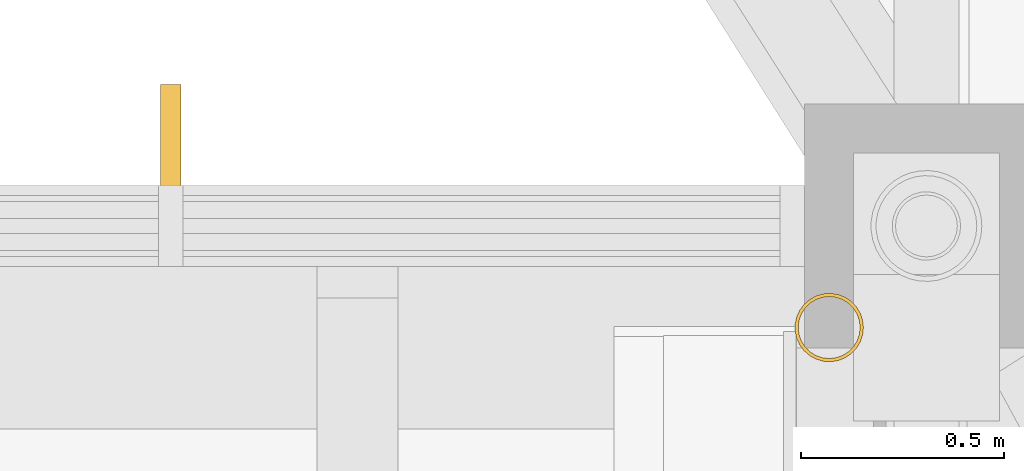
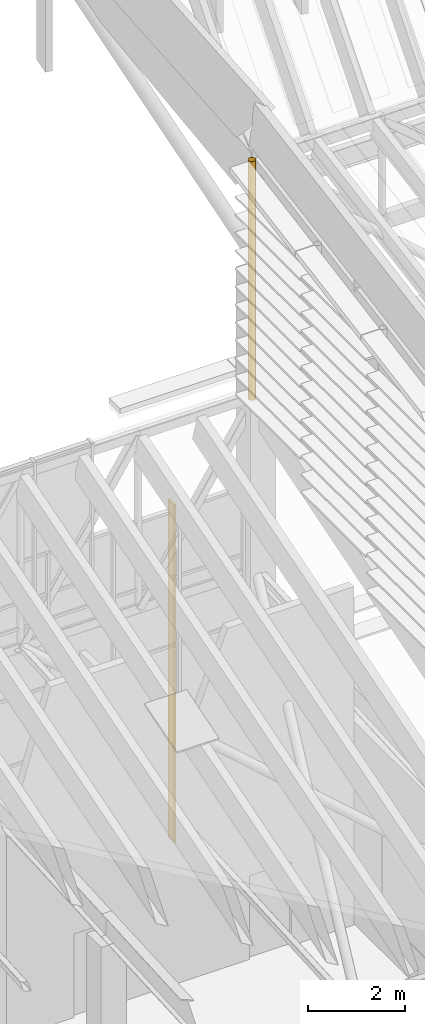
# One storey, part 85 of 91: 2 shading devices.
"""IFC4 building model written with IfcOpenShell, lengths in metres."""

import ifcopenshell
import ifcopenshell.guid

model = None  # the IFC model being written
_history = None  # IfcOwnerHistory: only IFC2X3 demands one
_inside = {}  # id of a spatial element -> (the spatial element, [elements in it])
_under = {}  # id of a project, library or spatial element -> (it, [spatial elements below it])
_declared = {}  # id of a project -> (the project, [libraries it declares])
_typed = {}  # id of a type object -> (the type object, [elements of that type])
_made_of = {}  # id of a material, layer set ... -> (it, [elements and type objects made of it])


def new_model(schema):
    """Start an empty IFC model of exactly this schema.

    Asked for "IFC4X3", IfcOpenShell would pick the latest addendum, in which some entities
    have other attributes; the version numbers below select the first issue.
    IFC2X3 requires an IfcOwnerHistory on every rooted entity: one is made here for all.
    """
    global model, _history
    if schema == "IFC4X3":
        model = ifcopenshell.file(schema_version=(4, 3, 0, 0))
    else:
        model = ifcopenshell.file(schema=schema)
    _inside.clear()
    _under.clear()
    _declared.clear()
    _typed.clear()
    _made_of.clear()
    _history = None
    if model.schema == "IFC2X3":
        org = make("IfcOrganization", Name="unknown")
        user = make(
            "IfcPersonAndOrganization",
            ThePerson=make("IfcPerson", FamilyName="unknown"),
            TheOrganization=org,
        )
        app = make(
            "IfcApplication",
            ApplicationDeveloper=org,
            Version="unknown",
            ApplicationFullName="unknown",
            ApplicationIdentifier="unknown",
        )
        _history = make(
            "IfcOwnerHistory",
            OwningUser=user,
            OwningApplication=app,
            ChangeAction="ADDED",
            CreationDate=0,
        )
    return model


def make(cls, **values):
    """One entity of the class cls with the attributes given. An attribute that is None is left unset."""
    return model.create_entity(
        cls, **{name: value for name, value in values.items() if value is not None}
    )


def rooted(cls, **values):
    """An entity with a GlobalId (a new one), such as an element, a storey or a relation."""
    return make(cls, GlobalId=ifcopenshell.guid.new(), OwnerHistory=_history, **values)


def si_unit(unit_type, name, prefix=None):
    """IfcSIUnit, for example si_unit("LENGTHUNIT", "METRE", prefix="MILLI")."""
    return make("IfcSIUnit", UnitType=unit_type, Prefix=prefix, Name=name)


def assignment(units):
    """IfcUnitAssignment: the units of a project."""
    return None if units is None else make("IfcUnitAssignment", Units=units)


def point(xyz):
    """IfcCartesianPoint."""
    return None if xyz is None else make("IfcCartesianPoint", Coordinates=xyz)


def direction(xyz):
    """IfcDirection."""
    return None if xyz is None else make("IfcDirection", DirectionRatios=xyz)


def frame(location, z_axis=None, x_axis=None):
    """IfcAxis2Placement3D, a coordinate frame: its origin and axes. An axis left out is left unset."""
    return make(
        "IfcAxis2Placement3D",
        Location=point(location),
        Axis=direction(z_axis),
        RefDirection=direction(x_axis),
    )


def frame_2d(location, x_axis=None):
    """IfcAxis2Placement2D, a coordinate frame in the plane: its origin and x axis."""
    return make(
        "IfcAxis2Placement2D", Location=point(location), RefDirection=direction(x_axis)
    )


def origin():
    """The frame at (0, 0, 0) with its axes left unset."""
    return frame((0.0, 0.0, 0.0))


def origin_2d():
    """The frame at (0, 0) in the plane with its x axis left unset."""
    return frame_2d((0.0, 0.0))


def place(relative_to, where):
    """IfcLocalPlacement: puts the frame where relative to a parent placement (None: the world)."""
    return make(
        "IfcLocalPlacement", PlacementRelTo=relative_to, RelativePlacement=where
    )


def context(
    kind, dimensions, precision=None, world=None, true_north=None, identifier=None
):
    """IfcGeometricRepresentationContext, for example the 3D "Model" context."""
    return make(
        "IfcGeometricRepresentationContext",
        ContextIdentifier=identifier,
        ContextType=kind,
        CoordinateSpaceDimension=dimensions,
        Precision=precision,
        WorldCoordinateSystem=world,
        TrueNorth=true_north,
    )


def subcontext(parent, identifier, kind, view, scale=None):
    """IfcGeometricRepresentationSubContext, for example "Body" below "Model"."""
    return make(
        "IfcGeometricRepresentationSubContext",
        ContextIdentifier=identifier,
        ContextType=kind,
        ParentContext=parent,
        TargetScale=scale,
        TargetView=view,
    )


def project(units=None, contexts=None):
    """IfcProject with its units and contexts."""
    return rooted(
        "IfcProject",
        Name="project",
        RepresentationContexts=contexts,
        UnitsInContext=assignment(units),
    )


def spatial(cls, under=None, at=None, **own):
    """A site, building, storey or space (cls), placed at a placement, below another one or the project."""
    s = rooted(cls, ObjectPlacement=at, **own)
    if under is not None:
        _under.setdefault(under.id(), (under, []))[1].append(s)
    return s


def profile(cls, at=None, kind="AREA", **sizes):
    """A parametric profile (cls). Its sizes go by their IFC names, for example OverallWidth=200.0."""
    return make(cls, ProfileType=kind, Position=at, **sizes)


def rectangle(**sizes):
    """IfcRectangleProfileDef."""
    return profile("IfcRectangleProfileDef", **sizes)


def hollow_circle(**sizes):
    """IfcCircleHollowProfileDef."""
    return profile("IfcCircleHollowProfileDef", **sizes)


def extrude(swept, where, along, depth):
    """IfcExtrudedAreaSolid: the profile swept, set in the frame where, extruded along a direction by depth."""
    return make(
        "IfcExtrudedAreaSolid",
        SweptArea=swept,
        Position=where,
        ExtrudedDirection=direction(along),
        Depth=depth,
    )


def shape(context_of_items, identifier, shape_type, items):
    """IfcShapeRepresentation: the items that make up one representation, for example the "Body"."""
    return make(
        "IfcShapeRepresentation",
        ContextOfItems=context_of_items,
        RepresentationIdentifier=identifier,
        RepresentationType=shape_type,
        Items=items,
    )


def material(Name=None, Category=None):
    """IfcMaterial."""
    return make("IfcMaterial", Name=Name, Category=Category)


def material_profile(
    of_material, cross_section, Name=None, Category=None, Priority=None
):
    """IfcMaterialProfile: a cross section and its material."""
    return make(
        "IfcMaterialProfile",
        Name=Name,
        Material=of_material,
        Profile=cross_section,
        Priority=Priority,
        Category=Category,
    )


def profile_set(profiles, Name=None, composite=None):
    """IfcMaterialProfileSet."""
    return make(
        "IfcMaterialProfileSet",
        Name=Name,
        MaterialProfiles=profiles,
        CompositeProfile=composite,
    )


def made_of(thing, what):
    """Note that an element or type object is made of a material, layer set ...; save() writes the relation."""
    if what is not None:
        _made_of.setdefault(what.id(), (what, []))[1].append(thing)
    return thing


def type_object(cls, material=None, **own):
    """A type object (cls), such as IfcWallType, which elements share."""
    return made_of(rooted(cls, **own), material)


def element(
    cls,
    number,
    at=None,
    inside=None,
    cuts=None,
    type_object=None,
    material=None,
    context=None,
    identifier="Body",
    shape_type=None,
    held_by="IfcProductDefinitionShape",
    body=None,
    shapes=None,
    **own,
):
    """One element of the class cls, such as IfcWall. Its Tag is "e" and its number.

    at: its placement. inside: the storey or other place that contains it. cuts: it is an
    opening in that element (IfcRelVoidsElement). A single representation is given by context,
    identifier, shape_type and body (its items); several are given by shapes. held_by: the class
    of the entity that holds the representations. save() writes the other relations.
    """
    e = rooted(cls, Tag="e%d" % number, ObjectPlacement=at, **own)
    if body is not None:
        shapes = [shape(context, identifier, shape_type, body)]
    if shapes is not None:
        e.Representation = make(held_by, Representations=shapes)
    if inside is not None:
        _inside.setdefault(inside.id(), (inside, []))[1].append(e)
    if cuts is not None:
        rooted(
            "IfcRelVoidsElement", RelatingBuildingElement=cuts, RelatedOpeningElement=e
        )
    if type_object is not None:
        _typed.setdefault(type_object.id(), (type_object, []))[1].append(e)
    return made_of(e, material)


def aggregate(whole, parts):
    """IfcRelAggregates: a whole, such as a stair, and the parts it consists of."""
    return rooted("IfcRelAggregates", RelatingObject=whole, RelatedObjects=parts)


def save(model, path):
    """Write the relations noted so far, then the file.

    IfcRelAggregates (storeys below a building ...), IfcRelContainedInSpatialStructure (elements
    in a storey), IfcRelDefinesByType, IfcRelAssociatesMaterial and IfcRelDeclares: one each for
    every whole, place, type object, material and project.
    """
    for whole, parts in _under.values():
        aggregate(whole, parts)
    for where, things in _inside.values():
        rooted(
            "IfcRelContainedInSpatialStructure",
            RelatedElements=things,
            RelatingStructure=where,
        )
    for kind, things in _typed.values():
        rooted("IfcRelDefinesByType", RelatedObjects=things, RelatingType=kind)
    for what, things in _made_of.values():
        rooted("IfcRelAssociatesMaterial", RelatedObjects=things, RelatingMaterial=what)
    for by, libraries in _declared.values():
        rooted("IfcRelDeclares", RelatingContext=by, RelatedDefinitions=libraries)
    model.write(path)


model = new_model("IFC4")

# Units and contexts
model_context = context("Model", 3, precision=1e-05, world=origin(), true_north=direction((0.0, 1.0)))
body_context = subcontext(model_context, "Body", "Model", "MODEL_VIEW")
ifc_project = project(units=[si_unit("LENGTHUNIT", "METRE"), si_unit("AREAUNIT", "SQUARE_METRE"), si_unit("VOLUMEUNIT", "CUBIC_METRE"), si_unit("PLANEANGLEUNIT", "RADIAN"), si_unit("MASSUNIT", "GRAM", prefix="KILO")], contexts=[model_context])

# Site, building, storey
site_placement = place(None, origin())
site = spatial("IfcSite", under=ifc_project, at=site_placement, CompositionType="ELEMENT")
building_placement = place(site_placement, origin())
building = spatial("IfcBuilding", under=site, at=building_placement, Name="Almond Square Museum", CompositionType="ELEMENT")
storey_placement = place(building_placement, frame((0.0, 0.0, 30.0)))
storey = spatial("IfcBuildingStorey", under=building, at=storey_placement, Name="L05", CompositionType="ELEMENT", Elevation=30.0)

# Shading devices
ifc_material_1 = material(Name="Structural steel S355", Category="steel")
ifc_material_profile_1 = material_profile(ifc_material_1, hollow_circle(Radius=0.084228515625, WallThickness=0.008056640625, at=origin_2d()))
ifc_profile_set_1 = profile_set([ifc_material_profile_1], Name="Structural steel S355")
shading_device_type_1 = type_object("IfcShadingDeviceType", Name="Louvre post CHS 168.3 x 8", PredefinedType="USERDEFINED", material=ifc_profile_set_1)
shading_device_1_placement = place(storey_placement, frame((106.560791015625, 108.949951171875, 10.8037109375), z_axis=(0.0, 0.0, 1.0), x_axis=(1.0, 0.0, 0.0)))
element("IfcShadingDevice", 1, at=shading_device_1_placement, inside=storey, type_object=shading_device_type_1, Name="Louvre screen post", ObjectType="POST", PredefinedType="USERDEFINED", context=body_context, shape_type="SweptSolid", body=[
    extrude(hollow_circle(Radius=0.084228515625, WallThickness=0.008056640625, at=origin_2d()), origin(), (0.0, 0.0, 1.0), 5.992431640625),
])
ifc_material_2 = material(Name="Cedar timber fin", Category="wood")
ifc_material_profile_2 = material_profile(ifc_material_2, rectangle(XDim=0.25, YDim=0.050048828125, at=origin_2d()))
ifc_profile_set_2 = profile_set([ifc_material_profile_2], Name="Cedar timber fin")
shading_device_type_2 = type_object("IfcShadingDeviceType", Name="Timber fin 250 x 50", PredefinedType="USERDEFINED", material=ifc_profile_set_2)
shading_device_2_placement = place(storey_placement, frame((104.93994140625, 109.423095703125, 0.0), z_axis=(0.0, 0.0, 1.0), x_axis=(0.0, 1.0, 0.0)))
element("IfcShadingDevice", 2, at=shading_device_2_placement, inside=storey, type_object=shading_device_type_2, Name="Timber fin", ObjectType="FIN", PredefinedType="USERDEFINED", context=body_context, shape_type="SweptSolid", body=[
    extrude(rectangle(XDim=0.25, YDim=0.050048828125, at=origin_2d()), origin(), (0.0, 0.0, 1.0), 8.480224609375),
])

save(model, "model.ifc")
